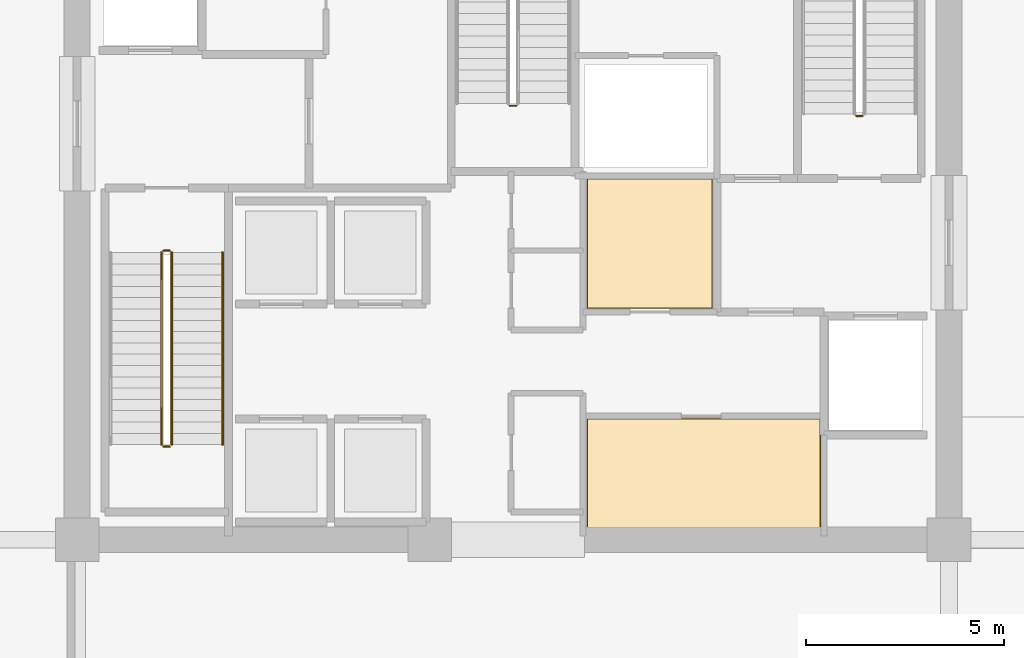
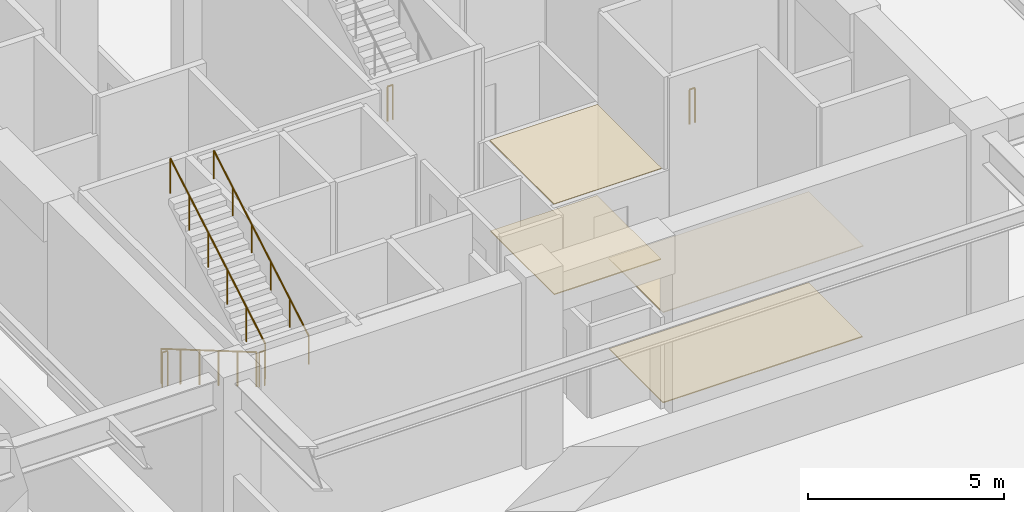
# One storey, part 37 of 41: 7 railings, 4 coverings.
"""IFC4 building model written with IfcOpenShell, lengths in metres."""

from ifc_helpers import new_model, si_unit, direction, frame, origin, origin_2d, place, context, subcontext, project, spatial, polyline, circle, outline, extrude, material, layer, layer_set, type_object, element, save


model = new_model("IFC4")

# Units and contexts
model_context = context("Model", 3, precision=1e-05, world=origin(), true_north=direction((0.0, 1.0)))
body_context = subcontext(model_context, "Body", "Model", "MODEL_VIEW")
ifc_project = project(units=[si_unit("LENGTHUNIT", "METRE"), si_unit("AREAUNIT", "SQUARE_METRE"), si_unit("VOLUMEUNIT", "CUBIC_METRE"), si_unit("PLANEANGLEUNIT", "RADIAN"), si_unit("MASSUNIT", "GRAM", prefix="KILO")], contexts=[model_context])

# Site, building, storey
site_placement = place(None, origin())
site = spatial("IfcSite", under=ifc_project, at=site_placement, CompositionType="ELEMENT")
building_placement = place(site_placement, origin())
building = spatial("IfcBuilding", under=site, at=building_placement, Name="Kovane Verandah Tower", CompositionType="ELEMENT")
storey_placement = place(building_placement, origin())
storey = spatial("IfcBuildingStorey", under=building, at=storey_placement, Name="L00", CompositionType="ELEMENT", Elevation=0.0)

# Coverings
ifc_material_1 = material(Name="Perforated Acoustic Mineral-Fibre Ceiling Tile", Category="gypsum")
ifc_layer_1 = layer(ifc_material_1, 0.02490234375)
ifc_layer_set_1 = layer_set([ifc_layer_1], Name="Perforated Acoustic Mineral-Fibre Ceiling Tile")
covering_type_1 = type_object("IfcCoveringType", Name="CV-CEIL-25", PredefinedType="CEILING", material=ifc_layer_set_1)
covering_1_placement = place(storey_placement, frame((0.0, 0.0, 2.824951171875)))
element("IfcCovering", 1, at=covering_1_placement, inside=storey, type_object=covering_type_1, Name="L00 Records Vault Room Acoustic Ceiling", PredefinedType="CEILING", context=body_context, shape_type="SweptSolid", body=[
    extrude(outline(polyline([(41.864990234375, 18.784912109375), (47.764892578125, 18.784912109375), (47.764892578125, 21.56494140625), (41.864990234375, 21.56494140625), (41.864990234375, 18.784912109375)])), origin(), (0.0, 0.0, 1.0), 0.025146484375),
])
covering_2_placement = place(storey_placement, frame((0.0, 0.0, 2.824951171875)))
element("IfcCovering", 2, at=covering_2_placement, inside=storey, type_object=covering_type_1, Name="L00 Document Archive Room Acoustic Ceiling", PredefinedType="CEILING", context=body_context, shape_type="SweptSolid", body=[
    extrude(outline(polyline([(41.864990234375, 24.3349609375), (45.034912109375, 24.3349609375), (45.034912109375, 27.614990234375), (41.864990234375, 27.614990234375), (41.864990234375, 24.3349609375)])), origin(), (0.0, 0.0, 1.0), 0.025146484375),
])
ifc_material_2 = material(Name="Polished Terrazzo and Raised-Access Carpet Tile Finish", Category="concrete")
ifc_layer_2 = layer(ifc_material_2, 0.030029296875)
ifc_layer_set_2 = layer_set([ifc_layer_2], Name="Polished Terrazzo and Raised-Access Carpet Tile Finish")
covering_type_2 = type_object("IfcCoveringType", Name="CV-FLOR-30", PredefinedType="FLOORING", material=ifc_layer_set_2)
covering_3_placement = place(storey_placement, origin())
element("IfcCovering", 3, at=covering_3_placement, inside=storey, type_object=covering_type_2, Name="L00 Records Vault Room Floor Finish", PredefinedType="FLOORING", context=body_context, shape_type="SweptSolid", body=[
    extrude(outline(polyline([(41.8798828125, 18.800048828125), (47.75, 18.800048828125), (47.75, 21.550048828125), (41.8798828125, 21.550048828125), (41.8798828125, 18.800048828125)])), origin(), (0.0, 0.0, 1.0), 0.030029296875),
])
covering_4_placement = place(storey_placement, origin())
element("IfcCovering", 4, at=covering_4_placement, inside=storey, type_object=covering_type_2, Name="L00 Document Archive Room Floor Finish", PredefinedType="FLOORING", context=body_context, shape_type="SweptSolid", body=[
    extrude(outline(polyline([(41.8798828125, 24.35009765625), (45.02001953125, 24.35009765625), (45.02001953125, 27.60009765625), (41.8798828125, 27.60009765625), (41.8798828125, 24.35009765625)])), origin(), (0.0, 0.0, 1.0), 0.030029296875),
])

# Railings
ifc_material_3 = material(Name="Brushed Stainless Steel Handrail", Category="steel")
railing_type_1 = type_object("IfcRailingType", Name="RL-HAND-920", PredefinedType="HANDRAIL", material=ifc_material_3)
railing_1_placement = place(storey_placement, frame((32.669921875, 20.905029296875, 3.166748046875)))
element("IfcRailing", 5, at=railing_1_placement, inside=storey, type_object=railing_type_1, Name="L00 ST-01 stair handrail 2", PredefinedType="HANDRAIL", context=body_context, shape_type="SweptSolid", body=[
    extrude(circle(Radius=0.02392578125, at=origin_2d()), frame((0.0, 0.0, 0.8759765625), z_axis=(0.0, 0.863234098208, 0.504803815052), x_axis=(-1.0, 0.0, 0.0)), (0.0, 0.0, 1.0), 5.612548828125),
    extrude(circle(Radius=0.02099609375, at=origin_2d()), origin(), (0.0, 0.0, 1.0), 0.851806640625),
    extrude(circle(Radius=0.02099609375, at=origin_2d()), frame((0.0, 0.968994140625, 0.566650390625)), (0.0, 0.0, 1.0), 0.851806640625),
    extrude(circle(Radius=0.02099609375, at=origin_2d()), frame((0.0, 1.93798828125, 1.13330078125)), (0.0, 0.0, 1.0), 0.851806640625),
    extrude(circle(Radius=0.02099609375, at=origin_2d()), frame((0.0, 2.906982421875, 1.699951171875)), (0.0, 0.0, 1.0), 0.851806640625),
    extrude(circle(Radius=0.02099609375, at=origin_2d()), frame((0.0, 3.8759765625, 2.2666015625)), (0.0, 0.0, 1.0), 0.851806640625),
    extrude(circle(Radius=0.02099609375, at=origin_2d()), frame((0.0, 4.844970703125, 2.833251953125)), (0.0, 0.0, 1.0), 0.851806640625),
])
ifc_material_4 = material(Name="Painted Steel Stairwell Guardrail", Category="steel")
railing_type_2 = type_object("IfcRailingType", Name="RL-STGUARD-1120", PredefinedType="GUARDRAIL", material=ifc_material_4)
railing_2_placement = place(storey_placement, frame((31.1298828125, 25.75, 0.166748046875)))
element("IfcRailing", 6, at=railing_2_placement, inside=storey, type_object=railing_type_2, Name="L00 ST-01 stair guard 1", PredefinedType="GUARDRAIL", context=body_context, shape_type="SweptSolid", body=[
    extrude(circle(Radius=0.02392578125, at=origin_2d()), frame((0.0, 0.0, 1.076171875), z_axis=(0.0, -0.863234098208, 0.504803815052), x_axis=(1.0, 0.0, 0.0)), (0.0, 0.0, 1.0), 5.612548828125),
    extrude(circle(Radius=0.02099609375, at=origin_2d()), origin(), (0.0, 0.0, 1.0), 1.052001953125),
    extrude(circle(Radius=0.02099609375, at=origin_2d()), frame((0.0, -0.968994140625, 0.566650390625)), (0.0, 0.0, 1.0), 1.052001953125),
    extrude(circle(Radius=0.02099609375, at=origin_2d()), frame((0.0, -1.93798828125, 1.13330078125)), (0.0, 0.0, 1.0), 1.052001953125),
    extrude(circle(Radius=0.02099609375, at=origin_2d()), frame((0.0, -2.906982421875, 1.699951171875)), (0.0, 0.0, 1.0), 1.052001953125),
    extrude(circle(Radius=0.02099609375, at=origin_2d()), frame((0.0, -3.8759765625, 2.2666015625)), (0.0, 0.0, 1.0), 1.052001953125),
    extrude(circle(Radius=0.02099609375, at=origin_2d()), frame((0.0, -4.844970703125, 2.833251953125)), (0.0, 0.0, 1.0), 1.052001953125),
])
railing_3_placement = place(storey_placement, frame((31.179931640625, 20.85498046875, 3.0)))
element("IfcRailing", 7, at=railing_3_placement, inside=storey, type_object=railing_type_2, Name="L00 ST-01 stair guard 2", PredefinedType="GUARDRAIL", context=body_context, shape_type="SweptSolid", body=[
    extrude(circle(Radius=0.02392578125, at=origin_2d()), frame((0.0, 0.0, 1.076171875), z_axis=(1.0, 0.0, 0.0), x_axis=(0.0, 1.0, 0.0)), (0.0, 0.0, 1.0), 0.16015625),
    extrude(circle(Radius=0.02099609375, at=origin_2d()), origin(), (0.0, 0.0, 1.0), 1.052001953125),
    extrude(circle(Radius=0.02099609375, at=origin_2d()), frame((0.16015625, 0.0, 0.0)), (0.0, 0.0, 1.0), 1.052001953125),
])
railing_4_placement = place(storey_placement, frame((31.389892578125, 20.905029296875, 3.166748046875)))
element("IfcRailing", 8, at=railing_4_placement, inside=storey, type_object=railing_type_2, Name="L00 ST-01 stair guard 3", PredefinedType="GUARDRAIL", context=body_context, shape_type="SweptSolid", body=[
    extrude(circle(Radius=0.02392578125, at=origin_2d()), frame((0.0, 0.0, 1.076171875), z_axis=(0.0, 0.863234098208, 0.504803815052), x_axis=(-1.0, 0.0, 0.0)), (0.0, 0.0, 1.0), 5.612548828125),
    extrude(circle(Radius=0.02099609375, at=origin_2d()), origin(), (0.0, 0.0, 1.0), 1.052001953125),
    extrude(circle(Radius=0.02099609375, at=origin_2d()), frame((0.0, 0.968994140625, 0.566650390625)), (0.0, 0.0, 1.0), 1.052001953125),
    extrude(circle(Radius=0.02099609375, at=origin_2d()), frame((0.0, 1.93798828125, 1.13330078125)), (0.0, 0.0, 1.0), 1.052001953125),
    extrude(circle(Radius=0.02099609375, at=origin_2d()), frame((0.0, 2.906982421875, 1.699951171875)), (0.0, 0.0, 1.0), 1.052001953125),
    extrude(circle(Radius=0.02099609375, at=origin_2d()), frame((0.0, 3.8759765625, 2.2666015625)), (0.0, 0.0, 1.0), 1.052001953125),
    extrude(circle(Radius=0.02099609375, at=origin_2d()), frame((0.0, 4.844970703125, 2.833251953125)), (0.0, 0.0, 1.0), 1.052001953125),
])
railing_5_placement = place(storey_placement, frame((31.179931640625, 25.800048828125, 0.0)))
element("IfcRailing", 9, at=railing_5_placement, inside=storey, type_object=railing_type_2, Name="L00 ST-01 stair guard 4", PredefinedType="GUARDRAIL", context=body_context, shape_type="SweptSolid", body=[
    extrude(circle(Radius=0.02392578125, at=origin_2d()), frame((0.0, 0.0, 1.076171875), z_axis=(1.0, 0.0, 0.0), x_axis=(0.0, 1.0, 0.0)), (0.0, 0.0, 1.0), 0.16015625),
    extrude(circle(Radius=0.02099609375, at=origin_2d()), origin(), (0.0, 0.0, 1.0), 1.052001953125),
    extrude(circle(Radius=0.02099609375, at=origin_2d()), frame((0.16015625, 0.0, 0.0)), (0.0, 0.0, 1.0), 1.052001953125),
])
railing_6_placement = place(storey_placement, frame((48.820068359375, 29.199951171875, 0.0)))
element("IfcRailing", 10, at=railing_6_placement, inside=storey, type_object=railing_type_2, Name="L00 ST-02 stair guard 4", PredefinedType="GUARDRAIL", context=body_context, shape_type="SweptSolid", body=[
    extrude(circle(Radius=0.02392578125, at=origin_2d()), frame((0.0, 0.0, 1.076171875), z_axis=(-1.0, 0.0, 0.0), x_axis=(0.0, -1.0, 0.0)), (0.0, 0.0, 1.0), 0.16015625),
    extrude(circle(Radius=0.02099609375, at=origin_2d()), origin(), (0.0, 0.0, 1.0), 1.052001953125),
    extrude(circle(Radius=0.02099609375, at=origin_2d()), frame((-0.16015625, 0.0, 0.0)), (0.0, 0.0, 1.0), 1.052001953125),
])
railing_7_placement = place(storey_placement, frame((39.919921875, 29.455078125, 3.0)))
element("IfcRailing", 11, at=railing_7_placement, inside=storey, type_object=railing_type_2, Name="L00 ST-03 stair guard 2", PredefinedType="GUARDRAIL", context=body_context, shape_type="SweptSolid", body=[
    extrude(circle(Radius=0.02392578125, at=origin_2d()), frame((0.0, 0.0, 1.076171875), z_axis=(1.0, 0.0, 0.0), x_axis=(0.0, 1.0, 0.0)), (0.0, 0.0, 1.0), 0.16015625),
    extrude(circle(Radius=0.02099609375, at=origin_2d()), origin(), (0.0, 0.0, 1.0), 1.052001953125),
    extrude(circle(Radius=0.02099609375, at=origin_2d()), frame((0.16015625, 0.0, 0.0)), (0.0, 0.0, 1.0), 1.052001953125),
])

save(model, "model.ifc")
